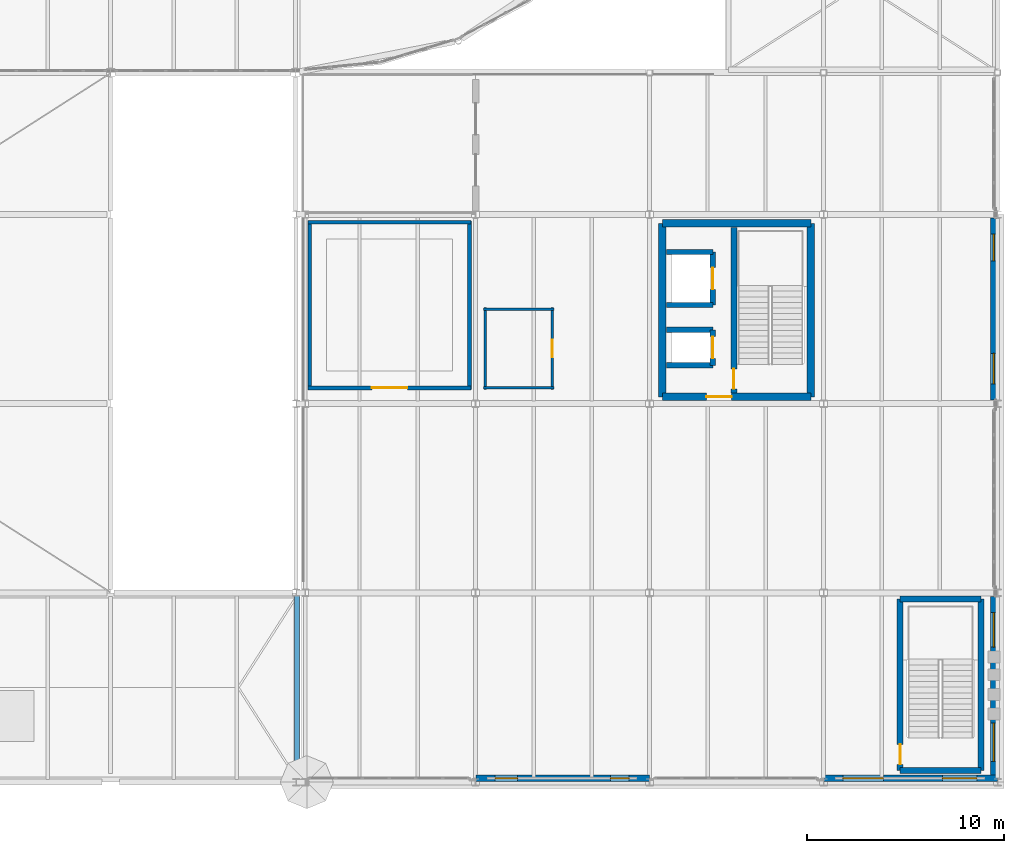
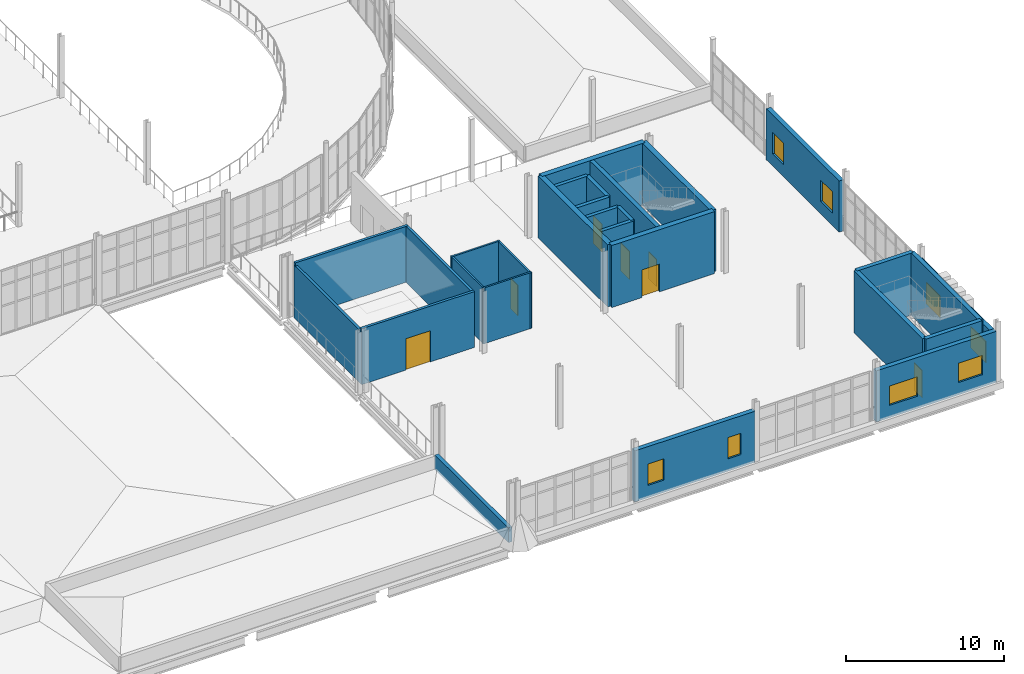
# One storey, part 96 of 112: 28 walls, 8 windows, 7 doors, 15 openings.
"""IFC4 building model written with IfcOpenShell, lengths in metres."""

from ifc_helpers import new_model, si_unit, direction, frame, frame_2d, origin, place, context, subcontext, project, spatial, rectangle, extrude, material, layer, layer_set, type_object, element, fill, save


model = new_model("IFC4")

# Units and contexts
model_context = context("Model", 3, precision=1e-05, world=origin(), true_north=direction((0.0, 1.0)))
body_context = subcontext(model_context, "Body", "Model", "MODEL_VIEW")
ifc_project = project(units=[si_unit("LENGTHUNIT", "METRE"), si_unit("AREAUNIT", "SQUARE_METRE"), si_unit("VOLUMEUNIT", "CUBIC_METRE"), si_unit("PLANEANGLEUNIT", "RADIAN"), si_unit("MASSUNIT", "GRAM", prefix="KILO")], contexts=[model_context])

# Site, building, storey
site_placement = place(None, origin())
site = spatial("IfcSite", under=ifc_project, at=site_placement, CompositionType="ELEMENT")
building_placement = place(site_placement, origin())
building = spatial("IfcBuilding", under=site, at=building_placement, Name="Yeouljin Market Hall", CompositionType="ELEMENT")
storey_placement = place(building_placement, frame((0.0, 0.0, 6.0)))
storey = spatial("IfcBuildingStorey", under=building, at=storey_placement, Name="L01", CompositionType="ELEMENT", Elevation=6.0)

# Wall, opening, door
ifc_material_1 = material(Name="Ceramic-Faced Acoustic Partition")
ifc_layer_1 = layer(ifc_material_1, 0.18994140625)
ifc_layer_set_1 = layer_set([ifc_layer_1], Name="Ceramic-Faced Acoustic Partition")
wall_type_1 = type_object("IfcWallType", Name="Part_KitchenTile_190", PredefinedType="PARTITIONING", material=ifc_layer_set_1)
wall_1_placement = place(storey_placement, frame((141.419921875, 20.0, 0.0), z_axis=(0.0, 0.0, 1.0), x_axis=(1.0, 0.0, 0.0)))
wall_1 = element("IfcWall", 1, at=wall_1_placement, inside=storey, type_object=wall_type_1, Name="Interior partition PART-L01-0094", PredefinedType="PARTITIONING", context=body_context, shape_type="SweptSolid", body=[
    extrude(rectangle(XDim=8.260009765625, YDim=0.18994140625, at=frame_2d((4.1298828125, 0.0))), origin(), (0.0, 0.0, 1.0), 4.320068359375),
])
opening_1_placement = place(wall_1_placement, frame((3.22998046875, 0.0, 0.0)))
opening_1 = element("IfcOpeningElement", 2, at=opening_1_placement, cuts=wall_1, Name="Opening D-L01-030", PredefinedType="OPENING", context=body_context, shape_type="SweptSolid", body=[
    extrude(rectangle(XDim=1.800048828125, YDim=2.419921875, at=frame_2d((0.89990234375, 1.2099609375))), frame((0.0, 0.10498046875, 0.0), z_axis=(0.0, -1.0, 0.0), x_axis=(1.0, 0.0, 0.0)), (0.0, 0.0, 1.0), 0.2099609375),
])
ifc_material_2 = material(Name="Painted Fire-Rated Steel", Category="steel")
door_type_1 = type_object("IfcDoorType", Name="DT-CS180", OperationType="NOTDEFINED", PredefinedType="DOOR", material=ifc_material_2)
door_1_placement = place(opening_1_placement, origin())
door_1 = element("IfcDoor", 3, at=door_1_placement, inside=storey, type_object=door_type_1, Name="Interior door D-L01-030 (Seafood Dining Prep Kitchen)", OperationType="SINGLE_SWING_RIGHT", OverallHeight=2.419921875, OverallWidth=1.800048828125, PredefinedType="DOOR", context=body_context, shape_type="SweptSolid", body=[
    extrude(rectangle(XDim=1.800048828125, YDim=2.419921875, at=frame_2d((0.89990234375, 1.2099609375))), frame((0.0, 0.02490234375, 0.0), z_axis=(0.0, -1.0, 0.0), x_axis=(1.0, 0.0, 0.0)), (0.0, 0.0, 1.0), 0.050048828125),
])
fill(opening_1, door_1)

# Walls
wall_2_placement = place(storey_placement, frame((149.60009765625, 19.919921875, 0.0), z_axis=(0.0, 0.0, 1.0), x_axis=(0.0, 1.0, 0.0)))
element("IfcWall", 4, at=wall_2_placement, inside=storey, type_object=wall_type_1, Name="Interior partition PART-L01-0095", PredefinedType="PARTITIONING", context=body_context, shape_type="SweptSolid", body=[
    extrude(rectangle(XDim=8.56005859375, YDim=0.18994140625, at=frame_2d((4.280029296875, 0.0))), origin(), (0.0, 0.0, 1.0), 4.320068359375),
])
wall_3_placement = place(storey_placement, frame((141.5, 28.47998046875, 0.0), z_axis=(0.0, 0.0, 1.0), x_axis=(0.0, -1.0, 0.0)))
element("IfcWall", 5, at=wall_3_placement, inside=storey, type_object=wall_type_1, Name="Interior partition PART-L01-0096", PredefinedType="PARTITIONING", context=body_context, shape_type="SweptSolid", body=[
    extrude(rectangle(XDim=8.56005859375, YDim=0.18994140625, at=frame_2d((4.280029296875, 0.0))), origin(), (0.0, 0.0, 1.0), 4.080078125),
])
wall_4_placement = place(storey_placement, frame((149.679931640625, 28.39990234375, 0.0), z_axis=(0.0, 0.0, 1.0), x_axis=(-1.0, 0.0, 0.0)))
element("IfcWall", 6, at=wall_4_placement, inside=storey, type_object=wall_type_1, Name="Interior partition PART-L01-0097", PredefinedType="PARTITIONING", context=body_context, shape_type="SweptSolid", body=[
    extrude(rectangle(XDim=8.260009765625, YDim=0.18994140625, at=frame_2d((4.1298828125, 0.0))), origin(), (0.0, 0.0, 1.0), 4.320068359375),
])

# Wall, opening, door
ifc_material_3 = material(Name="Moisture-Resistant Gypsum Partition")
ifc_layer_2 = layer(ifc_material_3, 0.1298828125)
ifc_layer_set_2 = layer_set([ifc_layer_2], Name="Moisture-Resistant Gypsum Partition")
wall_type_2 = type_object("IfcWallType", Name="Part_Sanitary_130", PredefinedType="PARTITIONING", material=ifc_layer_set_2)
wall_5_placement = place(storey_placement, frame((153.800048828125, 19.919921875, 0.0), z_axis=(0.0, 0.0, 1.0), x_axis=(0.0, 1.0, 0.0)))
wall_5 = element("IfcWall", 7, at=wall_5_placement, inside=storey, type_object=wall_type_2, Name="Interior partition PART-L01-0081", PredefinedType="PARTITIONING", context=body_context, shape_type="SweptSolid", body=[
    extrude(rectangle(XDim=4.16015625, YDim=0.1298828125, at=frame_2d((2.080078125, 0.0))), origin(), (0.0, 0.0, 1.0), 4.320068359375),
])
opening_2_placement = place(wall_5_placement, frame((1.6298828125, 0.0, 0.0)))
opening_2 = element("IfcOpeningElement", 8, at=opening_2_placement, cuts=wall_5, Name="Opening D-L01-026", PredefinedType="OPENING", context=body_context, shape_type="SweptSolid", body=[
    extrude(rectangle(XDim=0.89990234375, YDim=2.360107421875, at=frame_2d((0.449951171875, 1.18017578125))), frame((0.0, 0.074951171875, 0.0), z_axis=(0.0, -1.0, 0.0), x_axis=(1.0, 0.0, 0.0)), (0.0, 0.0, 1.0), 0.14990234375),
])
ifc_material_4 = material(Name="Acoustic Timber Veneer", Category="wood")
door_type_2 = type_object("IfcDoorType", Name="DT-ID090T", OperationType="NOTDEFINED", PredefinedType="DOOR", material=ifc_material_4)
door_2_placement = place(opening_2_placement, origin())
door_2 = element("IfcDoor", 9, at=door_2_placement, inside=storey, type_object=door_type_2, Name="Interior door D-L01-026 (East Accessible WC)", OperationType="SINGLE_SWING_RIGHT", OverallHeight=2.360107421875, OverallWidth=0.89990234375, PredefinedType="DOOR", context=body_context, shape_type="SweptSolid", body=[
    extrude(rectangle(XDim=0.89990234375, YDim=2.360107421875, at=frame_2d((0.449951171875, 1.18017578125))), frame((0.0, 0.02490234375, 0.0), z_axis=(0.0, -1.0, 0.0), x_axis=(1.0, 0.0, 0.0)), (0.0, 0.0, 1.0), 0.050048828125),
])
fill(opening_2, door_2)

# Walls
wall_6_placement = place(storey_placement, frame((150.39990234375, 24.080078125, 0.0), z_axis=(0.0, 0.0, 1.0), x_axis=(0.0, -1.0, 0.0)))
element("IfcWall", 10, at=wall_6_placement, inside=storey, type_object=wall_type_2, Name="Interior partition PART-L01-0082", PredefinedType="PARTITIONING", context=body_context, shape_type="SweptSolid", body=[
    extrude(rectangle(XDim=4.16015625, YDim=0.1298828125, at=frame_2d((2.080078125, 0.0))), origin(), (0.0, 0.0, 1.0), 4.320068359375),
])
for number, where, z_axis, x_axis, name in (
    (11, (150.320068359375, 20.0, 0.0), (0.0, 0.0, 1.0), (1.0, 0.0, 0.0), "Interior partition PART-L01-0083"),
    (12, (153.8798828125, 24.0, 0.0), (0.0, 0.0, 1.0), (-1.0, 0.0, 0.0), "Interior partition PART-L01-0084"),
):
    element("IfcWall", number, at=place(storey_placement, frame(where, z_axis=z_axis, x_axis=x_axis)), inside=storey, type_object=wall_type_2, Name=name, PredefinedType="PARTITIONING", context=body_context, shape_type="SweptSolid", body=[
        extrude(rectangle(XDim=3.559814453125, YDim=0.1298828125, at=frame_2d((1.77978515625, 0.0))), origin(), (0.0, 0.0, 1.0), 4.320068359375),
    ])

# Wall, opening, door
ifc_material_5 = material(Name="Concrete C35/45", Category="concrete")
ifc_layer_3 = layer(ifc_material_5, 0.260009765625)
ifc_layer_set_3 = layer_set([ifc_layer_3], Name="Concrete C35/45")
wall_type_3 = type_object("IfcWallType", Name="Wall_Compartment_260", PredefinedType="SHEAR", material=ifc_layer_set_3)
wall_7_placement = place(storey_placement, frame((161.945068359375, 21.14990234375, 0.0), z_axis=(0.0, 0.0, 1.0), x_axis=(0.0, 1.0, 0.0)))
wall_7 = element("IfcWall", 13, at=wall_7_placement, inside=storey, type_object=wall_type_3, Name="Lift LP-03 hoistway front wall (L01)", PredefinedType="SHEAR", context=body_context, shape_type="SweptSolid", body=[
    extrude(rectangle(XDim=1.800048828125, YDim=0.260009765625, at=frame_2d((0.89990234375, 0.0))), origin(), (0.0, 0.0, 1.0), 4.800048828125),
])
opening_3_placement = place(wall_7_placement, frame((0.35009765625, 0.0, 0.0)))
opening_3 = element("IfcOpeningElement", 14, at=opening_3_placement, cuts=wall_7, Name="Opening LD-LP-03-L01", PredefinedType="OPENING", context=body_context, shape_type="SweptSolid", body=[
    extrude(rectangle(XDim=1.10009765625, YDim=2.14990234375, at=frame_2d((0.550048828125, 1.074951171875))), frame((0.0, 0.139892578125, 0.0), z_axis=(0.0, -1.0, 0.0), x_axis=(1.0, 0.0, 0.0)), (0.0, 0.0, 1.0), 0.280029296875),
])
ifc_material_6 = material(Name="Brushed Stainless Steel", Category="steel")
door_type_3 = type_object("IfcDoorType", Name="LD-110", OperationType="SLIDING_TO_LEFT", PredefinedType="DOOR", material=ifc_material_6)
door_3_placement = place(opening_3_placement, origin())
door_3 = element("IfcDoor", 15, at=door_3_placement, inside=storey, type_object=door_type_3, Name="Lift landing sliding door LD-LP-03-L01", OperationType="SLIDING_TO_LEFT", OverallHeight=2.14990234375, OverallWidth=1.10009765625, PredefinedType="DOOR", context=body_context, shape_type="SweptSolid", body=[
    extrude(rectangle(XDim=1.10009765625, YDim=2.14990234375, at=frame_2d((0.550048828125, 1.074951171875))), frame((0.0, 0.02490234375, 0.0), z_axis=(0.0, -1.0, 0.0), x_axis=(1.0, 0.0, 0.0)), (0.0, 0.0, 1.0), 0.050048828125),
])
fill(opening_3, door_3)

# Walls
for number, where, z_axis, x_axis, name in (
    (16, (159.590087890625, 21.14990234375, 0.0), (0.0, 0.0, 1.0), (1.0, 0.0, 0.0), "Lift LP-03 shaft cheek wall S (L01)"),
    (17, (159.590087890625, 22.949951171875, 0.0), (0.0, 0.0, 1.0), (1.0, 0.0, 0.0), "Lift LP-03 shaft cheek wall N (L01)"),
):
    element("IfcWall", number, at=place(storey_placement, frame(where, z_axis=z_axis, x_axis=x_axis)), inside=storey, type_object=wall_type_3, Name=name, PredefinedType="SHEAR", context=body_context, shape_type="SweptSolid", body=[
        extrude(rectangle(XDim=2.35498046875, YDim=0.260009765625, at=frame_2d((1.177490234375, 0.0))), origin(), (0.0, 0.0, 1.0), 4.800048828125),
    ])

# Wall, opening, door
wall_8_placement = place(storey_placement, frame((161.945068359375, 24.199951171875, 0.0), z_axis=(0.0, 0.0, 1.0), x_axis=(0.0, 1.0, 0.0)))
wall_8 = element("IfcWall", 18, at=wall_8_placement, inside=storey, type_object=wall_type_3, Name="Lift LS-02 hoistway front wall (L01)", PredefinedType="SHEAR", context=body_context, shape_type="SweptSolid", body=[
    extrude(rectangle(XDim=2.699951171875, YDim=0.260009765625, at=frame_2d((1.35009765625, 0.0))), origin(), (0.0, 0.0, 1.0), 4.800048828125),
])
opening_4_placement = place(wall_8_placement, frame((0.800048828125, 0.0, 0.0)))
opening_4 = element("IfcOpeningElement", 19, at=opening_4_placement, cuts=wall_8, Name="Opening LD-LS-02-L01", PredefinedType="OPENING", context=body_context, shape_type="SweptSolid", body=[
    extrude(rectangle(XDim=1.10009765625, YDim=2.14990234375, at=frame_2d((0.550048828125, 1.074951171875))), frame((0.0, 0.139892578125, 0.0), z_axis=(0.0, -1.0, 0.0), x_axis=(1.0, 0.0, 0.0)), (0.0, 0.0, 1.0), 0.280029296875),
])
door_4_placement = place(opening_4_placement, origin())
door_4 = element("IfcDoor", 20, at=door_4_placement, inside=storey, type_object=door_type_3, Name="Lift landing sliding door LD-LS-02-L01", OperationType="SLIDING_TO_RIGHT", OverallHeight=2.14990234375, OverallWidth=1.10009765625, PredefinedType="DOOR", context=body_context, shape_type="SweptSolid", body=[
    extrude(rectangle(XDim=1.10009765625, YDim=2.14990234375, at=frame_2d((0.550048828125, 1.074951171875))), frame((0.0, 0.02490234375, 0.0), z_axis=(0.0, -1.0, 0.0), x_axis=(1.0, 0.0, 0.0)), (0.0, 0.0, 1.0), 0.050048828125),
])
fill(opening_4, door_4)

# Walls
for number, where, z_axis, x_axis, name in (
    (21, (159.590087890625, 24.199951171875, 0.0), (0.0, 0.0, 1.0), (1.0, 0.0, 0.0), "Lift LS-02 shaft cheek wall S (L01)"),
    (22, (159.590087890625, 26.89990234375, 0.0), (0.0, 0.0, 1.0), (1.0, 0.0, 0.0), "Lift LS-02 shaft cheek wall N (L01)"),
):
    element("IfcWall", number, at=place(storey_placement, frame(where, z_axis=z_axis, x_axis=x_axis)), inside=storey, type_object=wall_type_3, Name=name, PredefinedType="SHEAR", context=body_context, shape_type="SweptSolid", body=[
        extrude(rectangle(XDim=2.35498046875, YDim=0.260009765625, at=frame_2d((1.177490234375, 0.0))), origin(), (0.0, 0.0, 1.0), 4.800048828125),
    ])

# Wall, opening, door
ifc_material_7 = material(Name="Concrete C35/45", Category="concrete")
ifc_layer_4 = layer(ifc_material_7, 0.3798828125)
ifc_layer_set_4 = layer_set([ifc_layer_4], Name="Concrete C35/45")
wall_type_4 = type_object("IfcWallType", Name="Wall_CoreShear_380", PredefinedType="SHEAR", material=ifc_layer_set_4)
wall_9_placement = place(storey_placement, frame((159.389892578125, 19.550048828125, 0.0), z_axis=(0.0, 0.0, 1.0), x_axis=(1.0, 0.0, 0.0)))
wall_9 = element("IfcWall", 23, at=wall_9_placement, inside=storey, type_object=wall_type_4, Name="Core C3 south shear wall (L01)", PredefinedType="SHEAR", context=body_context, shape_type="SweptSolid", body=[
    extrude(rectangle(XDim=7.530029296875, YDim=0.3798828125, at=frame_2d((3.76513671875, 0.0))), origin(), (0.0, 0.0, 1.0), 4.800048828125),
])
opening_5_placement = place(wall_9_placement, frame((2.22998046875, 0.0, 0.0)))
opening_5 = element("IfcOpeningElement", 24, at=opening_5_placement, cuts=wall_9, Name="Opening FD-C3-L01-01", PredefinedType="OPENING", context=body_context, shape_type="SweptSolid", body=[
    extrude(rectangle(XDim=1.280029296875, YDim=2.14990234375, at=frame_2d((0.64013671875, 1.074951171875))), frame((0.0, 0.199951171875, 0.0), z_axis=(0.0, -1.0, 0.0), x_axis=(1.0, 0.0, 0.0)), (0.0, 0.0, 1.0), 0.39990234375),
])
ifc_material_8 = material(Name="Painted Fire-Rated Steel", Category="steel")
door_type_4 = type_object("IfcDoorType", Name="DT-FD128", OperationType="NOTDEFINED", PredefinedType="DOOR", material=ifc_material_8)
door_5_placement = place(opening_5_placement, origin())
door_5 = element("IfcDoor", 25, at=door_5_placement, inside=storey, type_object=door_type_4, Name="Core C3 lobby fire door (L01)", OperationType="SINGLE_SWING_LEFT", OverallHeight=2.14990234375, OverallWidth=1.280029296875, PredefinedType="DOOR", context=body_context, shape_type="SweptSolid", body=[
    extrude(rectangle(XDim=1.280029296875, YDim=2.14990234375, at=frame_2d((0.64013671875, 1.074951171875))), frame((0.0, 0.02490234375, 0.0), z_axis=(0.0, -1.0, 0.0), x_axis=(1.0, 0.0, 0.0)), (0.0, 0.0, 1.0), 0.050048828125),
])
fill(opening_5, door_5)

# Walls
wall_10_placement = place(storey_placement, frame((166.919921875, 28.35009765625, 0.0), z_axis=(0.0, 0.0, 1.0), x_axis=(-1.0, 0.0, 0.0)))
element("IfcWall", 26, at=wall_10_placement, inside=storey, type_object=wall_type_4, Name="Core C3 north shear wall (L01)", PredefinedType="SHEAR", context=body_context, shape_type="SweptSolid", body=[
    extrude(rectangle(XDim=7.530029296875, YDim=0.3798828125, at=frame_2d((3.76513671875, 0.0))), origin(), (0.0, 0.0, 1.0), 4.800048828125),
])
for number, where, z_axis, x_axis, name in (
    (27, (159.389892578125, 28.35009765625, 0.0), (0.0, 0.0, 1.0), (0.0, -1.0, 0.0), "Core C3 west shear wall (L01)"),
    (28, (166.919921875, 19.550048828125, 0.0), (0.0, 0.0, 1.0), (0.0, 1.0, 0.0), "Core C3 east shear wall (L01)"),
):
    element("IfcWall", number, at=place(storey_placement, frame(where, z_axis=z_axis, x_axis=x_axis)), inside=storey, type_object=wall_type_4, Name=name, PredefinedType="SHEAR", context=body_context, shape_type="SweptSolid", body=[
        extrude(rectangle(XDim=8.800048828125, YDim=0.3798828125, at=frame_2d((4.39990234375, 0.0))), origin(), (0.0, 0.0, 1.0), 4.800048828125),
    ])

# Wall, openings, windows
ifc_material_9 = material(Name="Clinker Brick Masonry F2-S2", Category="masonry")
ifc_layer_5 = layer(ifc_material_9, 0.330078125)
ifc_layer_set_5 = layer_set([ifc_layer_5], Name="Clinker Brick Masonry F2-S2")
wall_type_5 = type_object("IfcWallType", Name="Wall_Ext_ClinkerCavity_330", PredefinedType="SOLIDWALL", material=ifc_layer_set_5)
wall_11_placement = place(storey_placement, frame((176.387939453125, 0.199951171875, 0.0), z_axis=(0.0, 0.0, 1.0), x_axis=(-1.0, 0.0, 0.0)))
wall_11 = element("IfcWall", 29, at=wall_11_placement, inside=storey, type_object=wall_type_5, Name="Exterior wall WE-L01-B09", PredefinedType="SOLIDWALL", context=body_context, shape_type="SweptSolid", body=[
    extrude(rectangle(XDim=8.805908203125, YDim=0.330078125, at=frame_2d((4.40283203125, 0.0))), origin(), (0.0, 0.0, 1.0), 3.949951171875),
])
opening_6_placement = place(wall_11_placement, frame((1.0380859375, 0.0, 0.949951171875)))
opening_6 = element("IfcOpeningElement", 30, at=opening_6_placement, cuts=wall_11, Name="Opening WN-34", PredefinedType="OPENING", context=body_context, shape_type="SweptSolid", body=[
    extrude(rectangle(XDim=1.75, YDim=1.5, at=frame_2d((0.875, 0.75))), frame((0.0, 0.175048828125, 0.0), z_axis=(0.0, -1.0, 0.0), x_axis=(1.0, 0.0, 0.0)), (0.0, 0.0, 1.0), 0.35009765625),
])
opening_7_placement = place(wall_11_placement, frame((5.7880859375, 0.0, 0.949951171875)))
opening_7 = element("IfcOpeningElement", 31, at=opening_7_placement, cuts=wall_11, Name="Opening WN-35", PredefinedType="OPENING", context=body_context, shape_type="SweptSolid", body=[
    extrude(rectangle(XDim=2.050048828125, YDim=1.5, at=frame_2d((1.02490234375, 0.75))), frame((0.0, 0.175048828125, 0.0), z_axis=(0.0, -1.0, 0.0), x_axis=(1.0, 0.0, 0.0)), (0.0, 0.0, 1.0), 0.35009765625),
])
ifc_material_10 = material(Name="Low-E Insulated Glass", Category="glass")
window_type_1 = type_object("IfcWindowType", Name="Win_Ladder_1750x1500", PartitioningType="DOUBLE_PANEL_HORIZONTAL", PredefinedType="WINDOW", material=ifc_material_10)
window_1_placement = place(opening_6_placement, origin())
window_1 = element("IfcWindow", 32, at=window_1_placement, inside=storey, type_object=window_type_1, Name="Exterior window WIN-L01-B09A", OverallHeight=1.5, OverallWidth=1.75, PartitioningType="SINGLE_PANEL", PredefinedType="WINDOW", context=body_context, shape_type="SweptSolid", body=[
    extrude(rectangle(XDim=1.75, YDim=1.5, at=frame_2d((0.875, 0.75))), frame((0.0, 0.030029296875, 0.0), z_axis=(0.0, -1.0, 0.0), x_axis=(1.0, 0.0, 0.0)), (0.0, 0.0, 1.0), 0.06005859375),
])
fill(opening_6, window_1)
ifc_material_11 = material(Name="Low-E Insulated Glass", Category="glass")
window_type_2 = type_object("IfcWindowType", Name="Win_Ladder_2050x1500", PartitioningType="TRIPLE_PANEL_VERTICAL", PredefinedType="WINDOW", material=ifc_material_11)
window_2_placement = place(opening_7_placement, origin())
window_2 = element("IfcWindow", 33, at=window_2_placement, inside=storey, type_object=window_type_2, Name="Exterior window WIN-L01-B09B", OverallHeight=1.5, OverallWidth=2.050048828125, PartitioningType="SINGLE_PANEL", PredefinedType="WINDOW", context=body_context, shape_type="SweptSolid", body=[
    extrude(rectangle(XDim=2.050048828125, YDim=1.5, at=frame_2d((1.02490234375, 0.75))), frame((0.0, 0.030029296875, 0.0), z_axis=(0.0, -1.0, 0.0), x_axis=(1.0, 0.0, 0.0)), (0.0, 0.0, 1.0), 0.06005859375),
])
fill(opening_7, window_2)

wall_12_placement = place(storey_placement, frame((158.72802734375, 0.199951171875, 0.0), z_axis=(0.0, 0.0, 1.0), x_axis=(-1.0, 0.0, 0.0)))
wall_12 = element("IfcWall", 34, at=wall_12_placement, inside=storey, type_object=wall_type_5, Name="Exterior wall WE-L01-B11", PredefinedType="SOLIDWALL", context=body_context, shape_type="SweptSolid", body=[
    extrude(rectangle(XDim=8.805908203125, YDim=0.330078125, at=frame_2d((4.40283203125, 0.0))), origin(), (0.0, 0.0, 1.0), 3.949951171875),
])
opening_8_placement = place(wall_12_placement, frame((1.028076171875, 0.0, 0.949951171875)))
opening_8 = element("IfcOpeningElement", 35, at=opening_8_placement, cuts=wall_12, Name="Opening WN-39", PredefinedType="OPENING", context=body_context, shape_type="SweptSolid", body=[
    extrude(rectangle(XDim=0.949951171875, YDim=1.64990234375, at=frame_2d((0.47509765625, 0.824951171875))), frame((0.0, 0.175048828125, 0.0), z_axis=(0.0, -1.0, 0.0), x_axis=(1.0, 0.0, 0.0)), (0.0, 0.0, 1.0), 0.35009765625),
])
opening_9_placement = place(wall_12_placement, frame((6.677978515625, 0.0, 0.949951171875)))
opening_9 = element("IfcOpeningElement", 36, at=opening_9_placement, cuts=wall_12, Name="Opening WN-40", PredefinedType="OPENING", context=body_context, shape_type="SweptSolid", body=[
    extrude(rectangle(XDim=1.14990234375, YDim=1.64990234375, at=frame_2d((0.574951171875, 0.824951171875))), frame((0.0, 0.175048828125, 0.0), z_axis=(0.0, -1.0, 0.0), x_axis=(1.0, 0.0, 0.0)), (0.0, 0.0, 1.0), 0.35009765625),
])
ifc_material_12 = material(Name="Low-E Insulated Glass", Category="glass")
window_type_3 = type_object("IfcWindowType", Name="Win_Ladder_1150x1650", PartitioningType="DOUBLE_PANEL_HORIZONTAL", PredefinedType="WINDOW", material=ifc_material_12)
window_3_placement = place(opening_9_placement, origin())
window_3 = element("IfcWindow", 37, at=window_3_placement, inside=storey, type_object=window_type_3, Name="Exterior window WIN-L01-B11B", OverallHeight=1.64990234375, OverallWidth=1.14990234375, PartitioningType="SINGLE_PANEL", PredefinedType="WINDOW", context=body_context, shape_type="SweptSolid", body=[
    extrude(rectangle(XDim=1.14990234375, YDim=1.64990234375, at=frame_2d((0.574951171875, 0.824951171875))), frame((0.0, 0.030029296875, 0.0), z_axis=(0.0, -1.0, 0.0), x_axis=(1.0, 0.0, 0.0)), (0.0, 0.0, 1.0), 0.06005859375),
])
fill(opening_9, window_3)
ifc_material_13 = material(Name="Low-E Insulated Glass", Category="glass")
window_type_4 = type_object("IfcWindowType", Name="Win_Ladder_950x1650", PartitioningType="DOUBLE_PANEL_HORIZONTAL", PredefinedType="WINDOW", material=ifc_material_13)
window_4_placement = place(opening_8_placement, origin())
window_4 = element("IfcWindow", 38, at=window_4_placement, inside=storey, type_object=window_type_4, Name="Exterior window WIN-L01-B11A", OverallHeight=1.64990234375, OverallWidth=0.949951171875, PartitioningType="SINGLE_PANEL", PredefinedType="WINDOW", context=body_context, shape_type="SweptSolid", body=[
    extrude(rectangle(XDim=0.949951171875, YDim=1.64990234375, at=frame_2d((0.47509765625, 0.824951171875))), frame((0.0, 0.030029296875, 0.0), z_axis=(0.0, -1.0, 0.0), x_axis=(1.0, 0.0, 0.0)), (0.0, 0.0, 1.0), 0.06005859375),
])
fill(opening_8, window_4)

wall_13_placement = place(storey_placement, frame((176.199951171875, 28.617919921875, 0.0), z_axis=(0.0, 0.0, 1.0), x_axis=(0.0, -1.0, 0.0)))
wall_13 = element("IfcWall", 39, at=wall_13_placement, inside=storey, type_object=wall_type_5, Name="Exterior wall WE-L01-B14", PredefinedType="SOLIDWALL", context=body_context, shape_type="SweptSolid", body=[
    extrude(rectangle(XDim=9.23583984375, YDim=0.330078125, at=frame_2d((4.617919921875, 0.0))), origin(), (0.0, 0.0, 1.0), 3.949951171875),
])
opening_10_placement = place(wall_13_placement, frame((0.818115234375, 0.0, 0.949951171875)))
opening_10 = element("IfcOpeningElement", 40, at=opening_10_placement, cuts=wall_13, Name="Opening WN-41", PredefinedType="OPENING", context=body_context, shape_type="SweptSolid", body=[
    extrude(rectangle(XDim=1.35009765625, YDim=1.64990234375, at=frame_2d((0.675048828125, 0.824951171875))), frame((0.0, 0.175048828125, 0.0), z_axis=(0.0, -1.0, 0.0), x_axis=(1.0, 0.0, 0.0)), (0.0, 0.0, 1.0), 0.35009765625),
])
opening_11_placement = place(wall_13_placement, frame((6.867919921875, 0.0, 0.949951171875)))
opening_11 = element("IfcOpeningElement", 41, at=opening_11_placement, cuts=wall_13, Name="Opening WN-42", PredefinedType="OPENING", context=body_context, shape_type="SweptSolid", body=[
    extrude(rectangle(XDim=1.550048828125, YDim=1.64990234375, at=frame_2d((0.77490234375, 0.824951171875))), frame((0.0, 0.175048828125, 0.0), z_axis=(0.0, -1.0, 0.0), x_axis=(1.0, 0.0, 0.0)), (0.0, 0.0, 1.0), 0.35009765625),
])
ifc_material_14 = material(Name="Low-E Insulated Glass", Category="glass")
window_type_5 = type_object("IfcWindowType", Name="Win_Ladder_1350x1650", PartitioningType="DOUBLE_PANEL_HORIZONTAL", PredefinedType="WINDOW", material=ifc_material_14)
window_5_placement = place(opening_10_placement, origin())
window_5 = element("IfcWindow", 42, at=window_5_placement, inside=storey, type_object=window_type_5, Name="Exterior window WIN-L01-B14A", OverallHeight=1.64990234375, OverallWidth=1.35009765625, PartitioningType="SINGLE_PANEL", PredefinedType="WINDOW", context=body_context, shape_type="SweptSolid", body=[
    extrude(rectangle(XDim=1.35009765625, YDim=1.64990234375, at=frame_2d((0.675048828125, 0.824951171875))), frame((0.0, 0.030029296875, 0.0), z_axis=(0.0, -1.0, 0.0), x_axis=(1.0, 0.0, 0.0)), (0.0, 0.0, 1.0), 0.06005859375),
])
fill(opening_10, window_5)
ifc_material_15 = material(Name="Low-E Insulated Glass", Category="glass")
window_type_6 = type_object("IfcWindowType", Name="Win_Ladder_1550x1650", PartitioningType="DOUBLE_PANEL_HORIZONTAL", PredefinedType="WINDOW", material=ifc_material_15)
window_6_placement = place(opening_11_placement, origin())
window_6 = element("IfcWindow", 43, at=window_6_placement, inside=storey, type_object=window_type_6, Name="Exterior window WIN-L01-B14B", OverallHeight=1.64990234375, OverallWidth=1.550048828125, PartitioningType="SINGLE_PANEL", PredefinedType="WINDOW", context=body_context, shape_type="SweptSolid", body=[
    extrude(rectangle(XDim=1.550048828125, YDim=1.64990234375, at=frame_2d((0.77490234375, 0.824951171875))), frame((0.0, 0.030029296875, 0.0), z_axis=(0.0, -1.0, 0.0), x_axis=(1.0, 0.0, 0.0)), (0.0, 0.0, 1.0), 0.06005859375),
])
fill(opening_11, window_6)

wall_14_placement = place(storey_placement, frame((176.199951171875, 9.41796875, 0.0), z_axis=(0.0, 0.0, 1.0), x_axis=(0.0, -1.0, 0.0)))
wall_14 = element("IfcWall", 44, at=wall_14_placement, inside=storey, type_object=wall_type_5, Name="Exterior wall WE-L01-B16", PredefinedType="SOLIDWALL", context=body_context, shape_type="SweptSolid", body=[
    extrude(rectangle(XDim=9.236083984375, YDim=0.330078125, at=frame_2d((4.6181640625, 0.0))), origin(), (0.0, 0.0, 1.0), 3.949951171875),
])
opening_12_placement = place(wall_14_placement, frame((0.818115234375, 0.0, 0.949951171875)))
opening_12 = element("IfcOpeningElement", 45, at=opening_12_placement, cuts=wall_14, Name="Opening WN-43", PredefinedType="OPENING", context=body_context, shape_type="SweptSolid", body=[
    extrude(rectangle(XDim=1.75, YDim=1.64990234375, at=frame_2d((0.875, 0.824951171875))), frame((0.0, 0.175048828125, 0.0), z_axis=(0.0, -1.0, 0.0), x_axis=(1.0, 0.0, 0.0)), (0.0, 0.0, 1.0), 0.35009765625),
])
opening_13_placement = place(wall_14_placement, frame((6.41796875, 0.0, 0.949951171875)))
opening_13 = element("IfcOpeningElement", 46, at=opening_13_placement, cuts=wall_14, Name="Opening WN-44", PredefinedType="OPENING", context=body_context, shape_type="SweptSolid", body=[
    extrude(rectangle(XDim=1.949951171875, YDim=1.64990234375, at=frame_2d((0.97509765625, 0.824951171875))), frame((0.0, 0.175048828125, 0.0), z_axis=(0.0, -1.0, 0.0), x_axis=(1.0, 0.0, 0.0)), (0.0, 0.0, 1.0), 0.35009765625),
])
ifc_material_16 = material(Name="Low-E Insulated Glass", Category="glass")
window_type_7 = type_object("IfcWindowType", Name="Win_Ladder_1750x1650", PartitioningType="DOUBLE_PANEL_HORIZONTAL", PredefinedType="WINDOW", material=ifc_material_16)
window_7_placement = place(opening_12_placement, origin())
window_7 = element("IfcWindow", 47, at=window_7_placement, inside=storey, type_object=window_type_7, Name="Exterior window WIN-L01-B16A", OverallHeight=1.64990234375, OverallWidth=1.75, PartitioningType="SINGLE_PANEL", PredefinedType="WINDOW", context=body_context, shape_type="SweptSolid", body=[
    extrude(rectangle(XDim=1.75, YDim=1.64990234375, at=frame_2d((0.875, 0.824951171875))), frame((0.0, 0.030029296875, 0.0), z_axis=(0.0, -1.0, 0.0), x_axis=(1.0, 0.0, 0.0)), (0.0, 0.0, 1.0), 0.06005859375),
])
fill(opening_12, window_7)
ifc_material_17 = material(Name="Low-E Insulated Glass", Category="glass")
window_type_8 = type_object("IfcWindowType", Name="Win_Ladder_1950x1650", PartitioningType="TRIPLE_PANEL_VERTICAL", PredefinedType="WINDOW", material=ifc_material_17)
window_8_placement = place(opening_13_placement, origin())
window_8 = element("IfcWindow", 48, at=window_8_placement, inside=storey, type_object=window_type_8, Name="Exterior window WIN-L01-B16B", OverallHeight=1.64990234375, OverallWidth=1.949951171875, PartitioningType="SINGLE_PANEL", PredefinedType="WINDOW", context=body_context, shape_type="SweptSolid", body=[
    extrude(rectangle(XDim=1.949951171875, YDim=1.64990234375, at=frame_2d((0.97509765625, 0.824951171875))), frame((0.0, 0.030029296875, 0.0), z_axis=(0.0, -1.0, 0.0), x_axis=(1.0, 0.0, 0.0)), (0.0, 0.0, 1.0), 0.06005859375),
])
fill(opening_13, window_8)

# Wall
ifc_material_18 = material(Name="Pocheon Granite Stone", Category="masonry")
ifc_layer_6 = layer(ifc_material_18, 0.260009765625)
ifc_layer_set_6 = layer_set([ifc_layer_6], Name="Pocheon Granite Stone")
wall_type_6 = type_object("IfcWallType", Name="Wall_Parapet_Granite_260", PredefinedType="PARAPET", material=ifc_layer_set_6)
wall_15_placement = place(storey_placement, frame((140.860107421875, 0.139892578125, 0.010009765625), z_axis=(0.0, 0.0, 1.0), x_axis=(0.0, 1.0, 0.0)))
element("IfcWall", 49, at=wall_15_placement, inside=storey, type_object=wall_type_6, Name="Roof parapet RSLB-V5-E-2", PredefinedType="PARAPET", context=body_context, shape_type="SweptSolid", body=[
    extrude(rectangle(XDim=9.320068359375, YDim=0.260009765625, at=frame_2d((4.66015625, 0.0))), origin(), (0.0, 0.0, 1.0), 1.14990234375),
])

# Wall, opening, door
ifc_material_19 = material(Name="Concrete C35/45", Category="concrete")
ifc_layer_7 = layer(ifc_material_19, 0.300048828125)
ifc_layer_set_7 = layer_set([ifc_layer_7], Name="Concrete C35/45")
wall_type_7 = type_object("IfcWallType", Name="Wall_ShaftShear_300", PredefinedType="SHEAR", material=ifc_layer_set_7)
wall_16_placement = place(storey_placement, frame((163.02001953125, 19.75, 0.0), z_axis=(0.0, 0.0, 1.0), x_axis=(0.0, 1.0, 0.0)))
wall_16 = element("IfcWall", 50, at=wall_16_placement, inside=storey, type_object=wall_type_7, Name="Core C3 stairwell divider wall (L01)", PredefinedType="SHEAR", context=body_context, shape_type="SweptSolid", body=[
    extrude(rectangle(XDim=8.39990234375, YDim=0.300048828125, at=frame_2d((4.199951171875, 0.0))), origin(), (0.0, 0.0, 1.0), 4.800048828125),
])
opening_14_placement = place(wall_16_placement, frame((0.199951171875, 0.0, 0.0)))
opening_14 = element("IfcOpeningElement", 51, at=opening_14_placement, cuts=wall_16, Name="Opening SD-C3-L01", PredefinedType="OPENING", context=body_context, shape_type="SweptSolid", body=[
    extrude(rectangle(XDim=1.02001953125, YDim=2.10009765625, at=frame_2d((0.510009765625, 1.050048828125))), frame((0.0, 0.159912109375, 0.0), z_axis=(0.0, -1.0, 0.0), x_axis=(1.0, 0.0, 0.0)), (0.0, 0.0, 1.0), 0.320068359375),
])
ifc_material_20 = material(Name="Painted Fire-Rated Steel", Category="steel")
door_type_5 = type_object("IfcDoorType", Name="DT-FD102", OperationType="NOTDEFINED", PredefinedType="DOOR", material=ifc_material_20)
door_6_placement = place(opening_14_placement, origin())
door_6 = element("IfcDoor", 52, at=door_6_placement, inside=storey, type_object=door_type_5, Name="Core C3 exit stair door (L01)", OperationType="SINGLE_SWING_RIGHT", OverallHeight=2.10009765625, OverallWidth=1.02001953125, PredefinedType="DOOR", context=body_context, shape_type="SweptSolid", body=[
    extrude(rectangle(XDim=1.02001953125, YDim=2.10009765625, at=frame_2d((0.510009765625, 1.050048828125))), frame((0.0, 0.02490234375, 0.0), z_axis=(0.0, -1.0, 0.0), x_axis=(1.0, 0.0, 0.0)), (0.0, 0.0, 1.0), 0.050048828125),
])
fill(opening_14, door_6)

# Walls
for number, where, z_axis, x_axis, name in (
    (53, (171.449951171875, 0.60009765625, 0.0), (0.0, 0.0, 1.0), (1.0, 0.0, 0.0), "Core S8 south shear wall (L01)"),
    (54, (175.550048828125, 9.300048828125, 0.0), (0.0, 0.0, 1.0), (-1.0, 0.0, 0.0), "Core S8 north shear wall (L01)"),
):
    element("IfcWall", number, at=place(storey_placement, frame(where, z_axis=z_axis, x_axis=x_axis)), inside=storey, type_object=wall_type_7, Name=name, PredefinedType="SHEAR", context=body_context, shape_type="SweptSolid", body=[
        extrude(rectangle(XDim=4.10009765625, YDim=0.300048828125, at=frame_2d((2.050048828125, 0.0))), origin(), (0.0, 0.0, 1.0), 4.800048828125),
    ])

# Wall, opening, door
wall_17_placement = place(storey_placement, frame((171.449951171875, 9.300048828125, 0.0), z_axis=(0.0, 0.0, 1.0), x_axis=(0.0, -1.0, 0.0)))
wall_17 = element("IfcWall", 55, at=wall_17_placement, inside=storey, type_object=wall_type_7, Name="Core S8 west shear wall (L01)", PredefinedType="SHEAR", context=body_context, shape_type="SweptSolid", body=[
    extrude(rectangle(XDim=8.699951171875, YDim=0.300048828125, at=frame_2d((4.35009765625, 0.0))), origin(), (0.0, 0.0, 1.0), 4.800048828125),
])
opening_15_placement = place(wall_17_placement, frame((7.3798828125, 0.0, 0.0)))
opening_15 = element("IfcOpeningElement", 56, at=opening_15_placement, cuts=wall_17, Name="Opening SD-S8-L01", PredefinedType="OPENING", context=body_context, shape_type="SweptSolid", body=[
    extrude(rectangle(XDim=1.02001953125, YDim=2.10009765625, at=frame_2d((0.510009765625, 1.050048828125))), frame((0.0, 0.159912109375, 0.0), z_axis=(0.0, -1.0, 0.0), x_axis=(1.0, 0.0, 0.0)), (0.0, 0.0, 1.0), 0.320068359375),
])
door_7_placement = place(opening_15_placement, origin())
door_7 = element("IfcDoor", 57, at=door_7_placement, inside=storey, type_object=door_type_5, Name="Escape stair S8 fire door (L01)", OperationType="SINGLE_SWING_RIGHT", OverallHeight=2.10009765625, OverallWidth=1.02001953125, PredefinedType="DOOR", context=body_context, shape_type="SweptSolid", body=[
    extrude(rectangle(XDim=1.02001953125, YDim=2.10009765625, at=frame_2d((0.510009765625, 1.050048828125))), frame((0.0, 0.02490234375, 0.0), z_axis=(0.0, -1.0, 0.0), x_axis=(1.0, 0.0, 0.0)), (0.0, 0.0, 1.0), 0.050048828125),
])
fill(opening_15, door_7)

# Wall
wall_18_placement = place(storey_placement, frame((175.550048828125, 0.60009765625, 0.0), z_axis=(0.0, 0.0, 1.0), x_axis=(0.0, 1.0, 0.0)))
element("IfcWall", 58, at=wall_18_placement, inside=storey, type_object=wall_type_7, Name="Core S8 east shear wall (L01)", PredefinedType="SHEAR", context=body_context, shape_type="SweptSolid", body=[
    extrude(rectangle(XDim=8.699951171875, YDim=0.300048828125, at=frame_2d((4.35009765625, 0.0))), origin(), (0.0, 0.0, 1.0), 4.800048828125),
])

save(model, "model.ifc")
